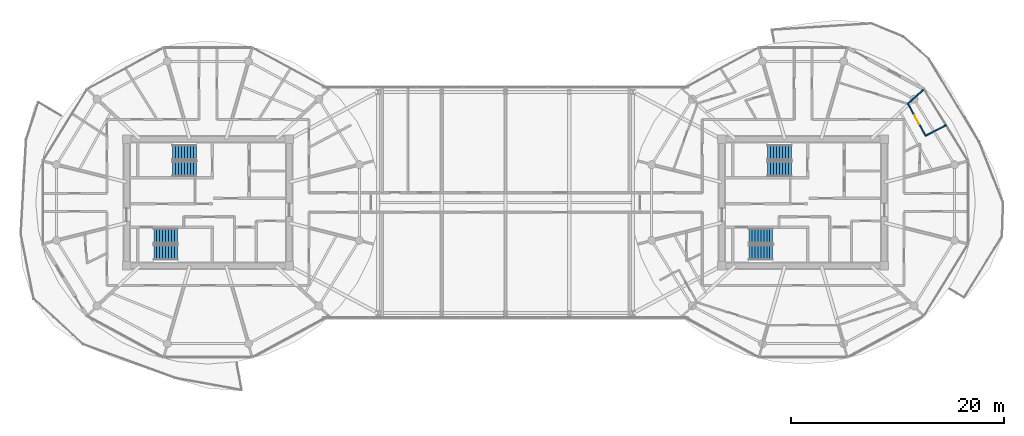
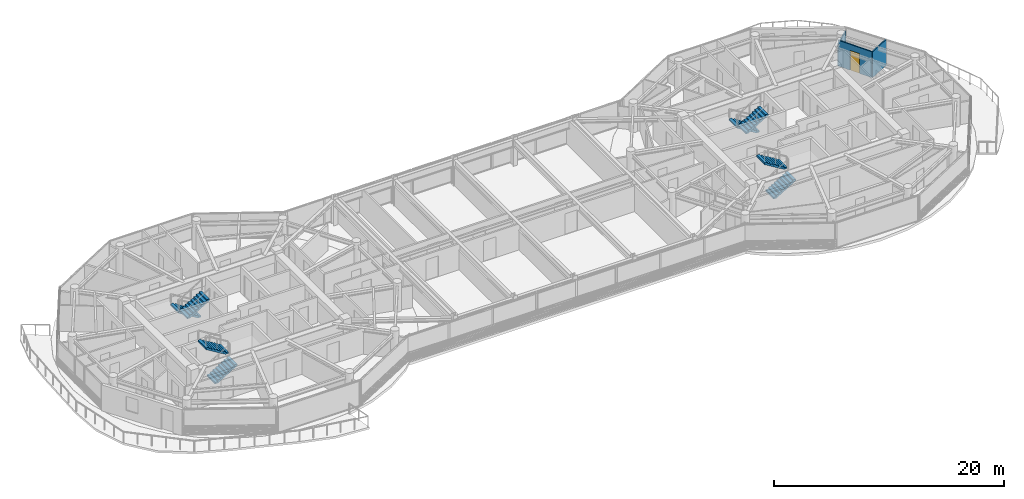
# One storey, part 19 of 23: 8 stair flights, 3 walls, 1 door, 1 opening, 4 elements without a shape of their own.
"""IFC4 building model written with IfcOpenShell, lengths in metres."""

from ifc_helpers import new_model, si_unit, direction, frame, frame_2d, origin, place, context, subcontext, project, spatial, polyline, rectangle, outline, extrude, source, transform, mapped, material, layer, layer_set, type_object, type_shapes, element, fill, aggregate, save


model = new_model("IFC4")

# Units and contexts
model_context = context("Model", 3, precision=1e-05, world=origin(), true_north=direction((0.0, 1.0)))
body_context = subcontext(model_context, "Body", "Model", "MODEL_VIEW")
ifc_project = project(units=[si_unit("LENGTHUNIT", "METRE"), si_unit("AREAUNIT", "SQUARE_METRE"), si_unit("VOLUMEUNIT", "CUBIC_METRE"), si_unit("PLANEANGLEUNIT", "RADIAN"), si_unit("MASSUNIT", "GRAM", prefix="KILO")], contexts=[model_context])

# Site, building, storey
site_placement = place(None, origin())
site = spatial("IfcSite", under=ifc_project, at=site_placement, CompositionType="ELEMENT")
building_placement = place(site_placement, origin())
building = spatial("IfcBuilding", under=site, at=building_placement, Name="Norrkilde Senior Care Towers", CompositionType="ELEMENT")
storey_placement = place(building_placement, frame((0.0, 0.0, 216.949951171875)))
storey = spatial("IfcBuildingStorey", under=building, at=storey_placement, Name="L67", CompositionType="ELEMENT", Elevation=216.949951171875)

# Walls
ifc_material_1 = material(Name="Gypsum Acoustic Board")
ifc_layer = layer(ifc_material_1, 0.114990234375)
ifc_layer_set = layer_set([ifc_layer], Name="Gypsum Acoustic Board")
wall_type = type_object("IfcWallType", Name="Internal Room Partition 115", PredefinedType="PARTITIONING", material=ifc_layer_set)
shared_shape_1 = source(origin(), body_context, "Body", "SweptSolid", [
    extrude(rectangle(XDim=2.071533203125, YDim=0.114990234375, at=frame_2d((1.03564453125, 0.0))), origin(), (0.0, 0.0, 1.0), 2.344970703125),
])
wall_1_placement = place(storey_placement, frame((37.8486328125, 9.287109375, 0.0), z_axis=(0.0, 0.0, 1.0), x_axis=(0.741410125356, 0.671052178314, 0.0)))
element("IfcWall", 1, at=wall_1_placement, inside=storey, type_object=wall_type, Name="WL-INT-L67-E-UBR-00-1", PredefinedType="PARTITIONING", context=body_context, shape_type="MappedRepresentation", body=[
    mapped(shared_shape_1, transform((0.0, 0.0, 0.0), x_axis=(1.0, 0.0, 0.0), y_axis=(0.0, 1.0, 0.0), z_axis=(0.0, 0.0, 1.0), scale=1.0)),
])
shared_shape_2 = source(origin(), body_context, "Body", "SweptSolid", [
    extrude(rectangle(XDim=2.193115234375, YDim=0.114990234375, at=frame_2d((1.0966796875, 0.0))), origin(), (0.0, 0.0, 1.0), 2.7451171875),
])
wall_2_placement = place(storey_placement, frame((39.525390625, 6.27490234375, 0.0), z_axis=(0.0, 0.0, 1.0), x_axis=(0.885783595046, 0.464098505435, 0.0)))
element("IfcWall", 2, at=wall_2_placement, inside=storey, type_object=wall_type, Name="WL-INT-L67-E-UKTS-00", PredefinedType="PARTITIONING", context=body_context, shape_type="MappedRepresentation", body=[
    mapped(shared_shape_2, transform((0.0, 0.0, 0.0), x_axis=(1.0, 0.0, 0.0), y_axis=(0.0, 1.0, 0.0), z_axis=(0.0, 0.0, 1.0), scale=1.0)),
])

# Wall, opening, door
shared_shape_3 = source(origin(), body_context, "Body", "SweptSolid", [
    extrude(rectangle(XDim=3.4501953125, YDim=0.114990234375, at=frame_2d((1.72509765625, 0.0))), origin(), (0.0, 0.0, 1.0), 2.7451171875),
])
type_shapes(wall_type, [shared_shape_1, shared_shape_2, shared_shape_3])
wall_3_placement = place(storey_placement, frame((39.525390625, 6.27490234375, 0.0), z_axis=(0.0, 0.0, 1.0), x_axis=(-0.483659007882, 0.875256513312, 0.0)))
wall_3 = element("IfcWall", 3, at=wall_3_placement, inside=storey, type_object=wall_type, Name="WL-INT-L67-E-UKTF-00", PredefinedType="PARTITIONING", context=body_context, shape_type="MappedRepresentation", body=[
    mapped(shared_shape_3, transform((0.0, 0.0, 0.0), x_axis=(1.0, 0.0, 0.0), y_axis=(0.0, 1.0, 0.0), z_axis=(0.0, 0.0, 1.0), scale=1.0)),
])
opening_placement = place(wall_3_placement, frame((1.25, 0.0, 0.0)))
opening = element("IfcOpeningElement", 4, at=opening_placement, cuts=wall_3, Name="Opening D-07", PredefinedType="OPENING", context=body_context, shape_type="SweptSolid", body=[
    extrude(rectangle(XDim=0.949951171875, YDim=2.10009765625, at=frame_2d((0.47509765625, 1.050048828125))), frame((0.0, 0.0673828125, 0.0), z_axis=(0.0, -1.0, 0.0), x_axis=(1.0, 0.0, 0.0)), (0.0, 0.0, 1.0), 0.135009765625),
])
ifc_material_2 = material(Name="Nordic Ash Timber", Category="wood")
door_type = type_object("IfcDoorType", Name="Internal Suite Bedroom Door 950x2100", OperationType="NOTDEFINED", PredefinedType="DOOR", material=ifc_material_2)
shared_shape_4 = source(origin(), body_context, "Body", "SweptSolid", [
    extrude(rectangle(XDim=0.949951171875, YDim=2.10009765625, at=frame_2d((0.47509765625, 1.050048828125))), frame((0.0, 0.02490234375, 0.0), z_axis=(0.0, -1.0, 0.0), x_axis=(1.0, 0.0, 0.0)), (0.0, 0.0, 1.0), 0.050048828125),
])
type_shapes(door_type, [shared_shape_4])
door_placement = place(opening_placement, frame((0.949951171875, 0.0, 0.0), z_axis=(0.0, 0.0, 1.0), x_axis=(-1.0, 0.0, 0.0)))
door = element("IfcDoor", 5, at=door_placement, inside=storey, type_object=door_type, Name="Apartment 67A Kitchen Door", OperationType="SINGLE_SWING_LEFT", OverallHeight=2.10009765625, OverallWidth=0.949951171875, PredefinedType="DOOR", context=body_context, shape_type="MappedRepresentation", body=[
    mapped(shared_shape_4, transform((0.0, 0.0, 0.0), x_axis=(1.0, 0.0, 0.0), y_axis=(0.0, 1.0, 0.0), z_axis=(0.0, 0.0, 1.0), scale=1.0)),
])
fill(opening, door)

# Stair, stair flights
ifc_material_3 = material(Name="Concrete C45/55", Category="concrete")
stair_type = type_object("IfcStairType", Name="Core Protected Dogleg Stair Typical 3050", PredefinedType="HALF_TURN_STAIR", material=ifc_material_3)
stair_1_placement = place(storey_placement, origin())
stair_1 = element("IfcStair", 6, at=stair_1_placement, inside=storey, type_object=stair_type, Name="L67 Protected Core Stair W1", PredefinedType="HALF_TURN_STAIR")
stair_flight_type = type_object("IfcStairFlightType", Name="Core Protected Dogleg Stair Typical 3050 Flight", PredefinedType="STRAIGHT", material=ifc_material_3)
stair_flight_1_placement = place(storey_placement, frame((-29.10009765625, 4.699951171875, 0.0), z_axis=(0.0, 0.0, 1.0), x_axis=(-1.0, 0.0, 0.0)))
stair_flight_1 = element("IfcStairFlight", 7, at=stair_flight_1_placement, type_object=stair_flight_type, Name="ST-W1 flight 1", NumberOfRisers=9, NumberOfTreads=8, PredefinedType="STRAIGHT", RiserHeight=0.169444444, TreadLength=0.28, context=body_context, shape_type="SweptSolid", body=[
    extrude(outline(polyline([(0.0, 0.0), (0.0, 0.16943359375), (0.280029296875, 0.16943359375), (0.280029296875, 0.3388671875), (0.56005859375, 0.3388671875), (0.56005859375, 0.50830078125), (0.840087890625, 0.50830078125), (0.840087890625, 0.677734375), (1.1201171875, 0.677734375), (1.1201171875, 0.84716796875), (1.39990234375, 0.84716796875), (1.39990234375, 1.0166015625), (1.679931640625, 1.0166015625), (1.679931640625, 1.18603515625), (1.9599609375, 1.18603515625), (1.9599609375, 1.35546875), (2.239990234375, 1.35546875), (2.239990234375, 1.52490234375), (2.239990234375, 1.180419921875), (0.28955078125, 0.0), (0.0, 0.0)])), frame((0.0, 0.699951171875, 0.0), z_axis=(0.0, -1.0, 0.0), x_axis=(1.0, 0.0, 0.0)), (0.0, 0.0, 1.0), 1.39990234375),
])
stair_flight_2_placement = place(storey_placement, frame((-31.340087890625, 3.14990234375, 1.525146484375), z_axis=(0.0, 0.0, 1.0), x_axis=(1.0, 0.0, 0.0)))
stair_flight_2 = element("IfcStairFlight", 8, at=stair_flight_2_placement, type_object=stair_flight_type, Name="ST-W1 flight 2", NumberOfRisers=9, NumberOfTreads=8, PredefinedType="STRAIGHT", RiserHeight=0.169444444, TreadLength=0.28, context=body_context, shape_type="SweptSolid", body=[
    extrude(outline(polyline([(0.0, 0.0), (0.0, 0.16943359375), (0.280029296875, 0.16943359375), (0.280029296875, 0.3388671875), (0.56005859375, 0.3388671875), (0.56005859375, 0.50830078125), (0.840087890625, 0.50830078125), (0.840087890625, 0.677734375), (1.1201171875, 0.677734375), (1.1201171875, 0.84716796875), (1.39990234375, 0.84716796875), (1.39990234375, 1.0166015625), (1.679931640625, 1.0166015625), (1.679931640625, 1.18603515625), (1.9599609375, 1.18603515625), (1.9599609375, 1.35546875), (2.239990234375, 1.35546875), (2.239990234375, 1.52490234375), (2.239990234375, 1.180419921875), (0.28955078125, 0.0), (0.0, 0.0)])), frame((0.0, 0.699951171875, 0.0), z_axis=(0.0, -1.0, 0.0), x_axis=(1.0, 0.0, 0.0)), (0.0, 0.0, 1.0), 1.39990234375),
])
aggregate(stair_1, [stair_flight_1, stair_flight_2])

stair_2_placement = place(storey_placement, origin())
stair_2 = element("IfcStair", 9, at=stair_2_placement, inside=storey, type_object=stair_type, Name="L67 Protected Core Stair W2", PredefinedType="HALF_TURN_STAIR")
stair_flight_3_placement = place(storey_placement, frame((-33.10009765625, -4.699951171875, 0.0), z_axis=(0.0, 0.0, 1.0), x_axis=(1.0, 0.0, 0.0)))
stair_flight_3 = element("IfcStairFlight", 10, at=stair_flight_3_placement, type_object=stair_flight_type, Name="ST-W2 flight 1", NumberOfRisers=9, NumberOfTreads=8, PredefinedType="STRAIGHT", RiserHeight=0.169444444, TreadLength=0.28, context=body_context, shape_type="SweptSolid", body=[
    extrude(outline(polyline([(0.0, 0.0), (0.0, 0.16943359375), (0.280029296875, 0.16943359375), (0.280029296875, 0.3388671875), (0.56005859375, 0.3388671875), (0.56005859375, 0.50830078125), (0.840087890625, 0.50830078125), (0.840087890625, 0.677734375), (1.1201171875, 0.677734375), (1.1201171875, 0.84716796875), (1.39990234375, 0.84716796875), (1.39990234375, 1.0166015625), (1.679931640625, 1.0166015625), (1.679931640625, 1.18603515625), (1.9599609375, 1.18603515625), (1.9599609375, 1.35546875), (2.239990234375, 1.35546875), (2.239990234375, 1.52490234375), (2.239990234375, 1.180419921875), (0.28955078125, 0.0), (0.0, 0.0)])), frame((0.0, 0.699951171875, 0.0), z_axis=(0.0, -1.0, 0.0), x_axis=(1.0, 0.0, 0.0)), (0.0, 0.0, 1.0), 1.39990234375),
])
stair_flight_4_placement = place(storey_placement, frame((-30.860107421875, -3.14990234375, 1.525146484375), z_axis=(0.0, 0.0, 1.0), x_axis=(-1.0, 0.0, 0.0)))
stair_flight_4 = element("IfcStairFlight", 11, at=stair_flight_4_placement, type_object=stair_flight_type, Name="ST-W2 flight 2", NumberOfRisers=9, NumberOfTreads=8, PredefinedType="STRAIGHT", RiserHeight=0.169444444, TreadLength=0.28, context=body_context, shape_type="SweptSolid", body=[
    extrude(outline(polyline([(0.0, 0.0), (0.0, 0.16943359375), (0.280029296875, 0.16943359375), (0.280029296875, 0.3388671875), (0.56005859375, 0.3388671875), (0.56005859375, 0.50830078125), (0.840087890625, 0.50830078125), (0.840087890625, 0.677734375), (1.1201171875, 0.677734375), (1.1201171875, 0.84716796875), (1.39990234375, 0.84716796875), (1.39990234375, 1.0166015625), (1.679931640625, 1.0166015625), (1.679931640625, 1.18603515625), (1.9599609375, 1.18603515625), (1.9599609375, 1.35546875), (2.239990234375, 1.35546875), (2.239990234375, 1.52490234375), (2.239990234375, 1.180419921875), (0.28955078125, 0.0), (0.0, 0.0)])), frame((0.0, 0.699951171875, 0.0), z_axis=(0.0, -1.0, 0.0), x_axis=(1.0, 0.0, 0.0)), (0.0, 0.0, 1.0), 1.39990234375),
])
aggregate(stair_2, [stair_flight_3, stair_flight_4])

stair_3_placement = place(storey_placement, origin())
stair_3 = element("IfcStair", 12, at=stair_3_placement, inside=storey, type_object=stair_type, Name="L67 Protected Core Stair E1", PredefinedType="HALF_TURN_STAIR")
stair_flight_5_placement = place(storey_placement, frame((26.89990234375, 4.699951171875, 0.0), z_axis=(0.0, 0.0, 1.0), x_axis=(-1.0, 0.0, 0.0)))
stair_flight_5 = element("IfcStairFlight", 13, at=stair_flight_5_placement, type_object=stair_flight_type, Name="ST-E1 flight 1", NumberOfRisers=9, NumberOfTreads=8, PredefinedType="STRAIGHT", RiserHeight=0.169444444, TreadLength=0.28, context=body_context, shape_type="SweptSolid", body=[
    extrude(outline(polyline([(0.0, 0.0), (0.0, 0.16943359375), (0.280029296875, 0.16943359375), (0.280029296875, 0.3388671875), (0.56005859375, 0.3388671875), (0.56005859375, 0.50830078125), (0.840087890625, 0.50830078125), (0.840087890625, 0.677734375), (1.1201171875, 0.677734375), (1.1201171875, 0.84716796875), (1.39990234375, 0.84716796875), (1.39990234375, 1.0166015625), (1.679931640625, 1.0166015625), (1.679931640625, 1.18603515625), (1.9599609375, 1.18603515625), (1.9599609375, 1.35546875), (2.239990234375, 1.35546875), (2.239990234375, 1.52490234375), (2.239990234375, 1.180419921875), (0.28955078125, 0.0), (0.0, 0.0)])), frame((0.0, 0.699951171875, 0.0), z_axis=(0.0, -1.0, 0.0), x_axis=(1.0, 0.0, 0.0)), (0.0, 0.0, 1.0), 1.39990234375),
])
stair_flight_6_placement = place(storey_placement, frame((24.659912109375, 3.14990234375, 1.525146484375), z_axis=(0.0, 0.0, 1.0), x_axis=(1.0, 0.0, 0.0)))
stair_flight_6 = element("IfcStairFlight", 14, at=stair_flight_6_placement, type_object=stair_flight_type, Name="ST-E1 flight 2", NumberOfRisers=9, NumberOfTreads=8, PredefinedType="STRAIGHT", RiserHeight=0.169444444, TreadLength=0.28, context=body_context, shape_type="SweptSolid", body=[
    extrude(outline(polyline([(0.0, 0.0), (0.0, 0.16943359375), (0.280029296875, 0.16943359375), (0.280029296875, 0.3388671875), (0.56005859375, 0.3388671875), (0.56005859375, 0.50830078125), (0.840087890625, 0.50830078125), (0.840087890625, 0.677734375), (1.1201171875, 0.677734375), (1.1201171875, 0.84716796875), (1.39990234375, 0.84716796875), (1.39990234375, 1.0166015625), (1.679931640625, 1.0166015625), (1.679931640625, 1.18603515625), (1.9599609375, 1.18603515625), (1.9599609375, 1.35546875), (2.239990234375, 1.35546875), (2.239990234375, 1.52490234375), (2.239990234375, 1.180419921875), (0.28955078125, 0.0), (0.0, 0.0)])), frame((0.0, 0.699951171875, 0.0), z_axis=(0.0, -1.0, 0.0), x_axis=(1.0, 0.0, 0.0)), (0.0, 0.0, 1.0), 1.39990234375),
])
aggregate(stair_3, [stair_flight_5, stair_flight_6])

stair_4_placement = place(storey_placement, origin())
stair_4 = element("IfcStair", 15, at=stair_4_placement, inside=storey, type_object=stair_type, Name="L67 Protected Core Stair E2", PredefinedType="HALF_TURN_STAIR")
stair_flight_7_placement = place(storey_placement, frame((22.89990234375, -4.699951171875, 0.0), z_axis=(0.0, 0.0, 1.0), x_axis=(1.0, 0.0, 0.0)))
stair_flight_7 = element("IfcStairFlight", 16, at=stair_flight_7_placement, type_object=stair_flight_type, Name="ST-E2 flight 1", NumberOfRisers=9, NumberOfTreads=8, PredefinedType="STRAIGHT", RiserHeight=0.169444444, TreadLength=0.28, context=body_context, shape_type="SweptSolid", body=[
    extrude(outline(polyline([(0.0, 0.0), (0.0, 0.16943359375), (0.280029296875, 0.16943359375), (0.280029296875, 0.3388671875), (0.56005859375, 0.3388671875), (0.56005859375, 0.50830078125), (0.840087890625, 0.50830078125), (0.840087890625, 0.677734375), (1.1201171875, 0.677734375), (1.1201171875, 0.84716796875), (1.39990234375, 0.84716796875), (1.39990234375, 1.0166015625), (1.679931640625, 1.0166015625), (1.679931640625, 1.18603515625), (1.9599609375, 1.18603515625), (1.9599609375, 1.35546875), (2.239990234375, 1.35546875), (2.239990234375, 1.52490234375), (2.239990234375, 1.180419921875), (0.28955078125, 0.0), (0.0, 0.0)])), frame((0.0, 0.699951171875, 0.0), z_axis=(0.0, -1.0, 0.0), x_axis=(1.0, 0.0, 0.0)), (0.0, 0.0, 1.0), 1.39990234375),
])
stair_flight_8_placement = place(storey_placement, frame((25.139892578125, -3.14990234375, 1.525146484375), z_axis=(0.0, 0.0, 1.0), x_axis=(-1.0, 0.0, 0.0)))
stair_flight_8 = element("IfcStairFlight", 17, at=stair_flight_8_placement, type_object=stair_flight_type, Name="ST-E2 flight 2", NumberOfRisers=9, NumberOfTreads=8, PredefinedType="STRAIGHT", RiserHeight=0.169444444, TreadLength=0.28, context=body_context, shape_type="SweptSolid", body=[
    extrude(outline(polyline([(0.0, 0.0), (0.0, 0.16943359375), (0.280029296875, 0.16943359375), (0.280029296875, 0.3388671875), (0.56005859375, 0.3388671875), (0.56005859375, 0.50830078125), (0.840087890625, 0.50830078125), (0.840087890625, 0.677734375), (1.1201171875, 0.677734375), (1.1201171875, 0.84716796875), (1.39990234375, 0.84716796875), (1.39990234375, 1.0166015625), (1.679931640625, 1.0166015625), (1.679931640625, 1.18603515625), (1.9599609375, 1.18603515625), (1.9599609375, 1.35546875), (2.239990234375, 1.35546875), (2.239990234375, 1.52490234375), (2.239990234375, 1.180419921875), (0.28955078125, 0.0), (0.0, 0.0)])), frame((0.0, 0.699951171875, 0.0), z_axis=(0.0, -1.0, 0.0), x_axis=(1.0, 0.0, 0.0)), (0.0, 0.0, 1.0), 1.39990234375),
])
aggregate(stair_4, [stair_flight_7, stair_flight_8])

save(model, "model.ifc")
